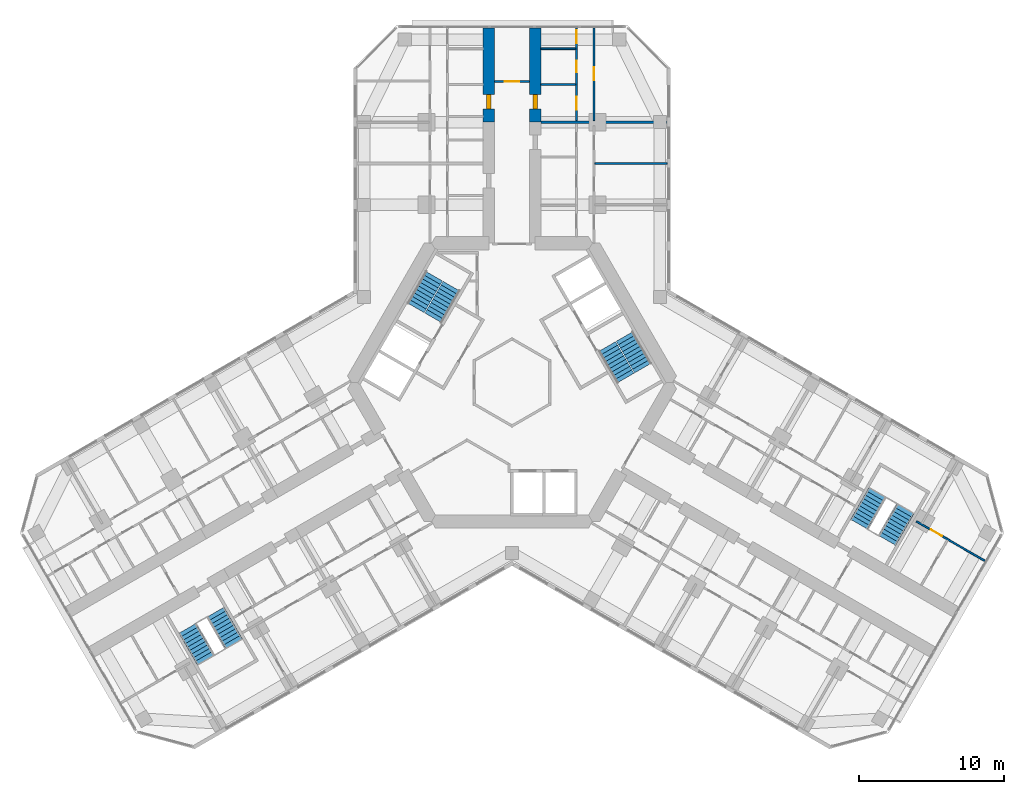
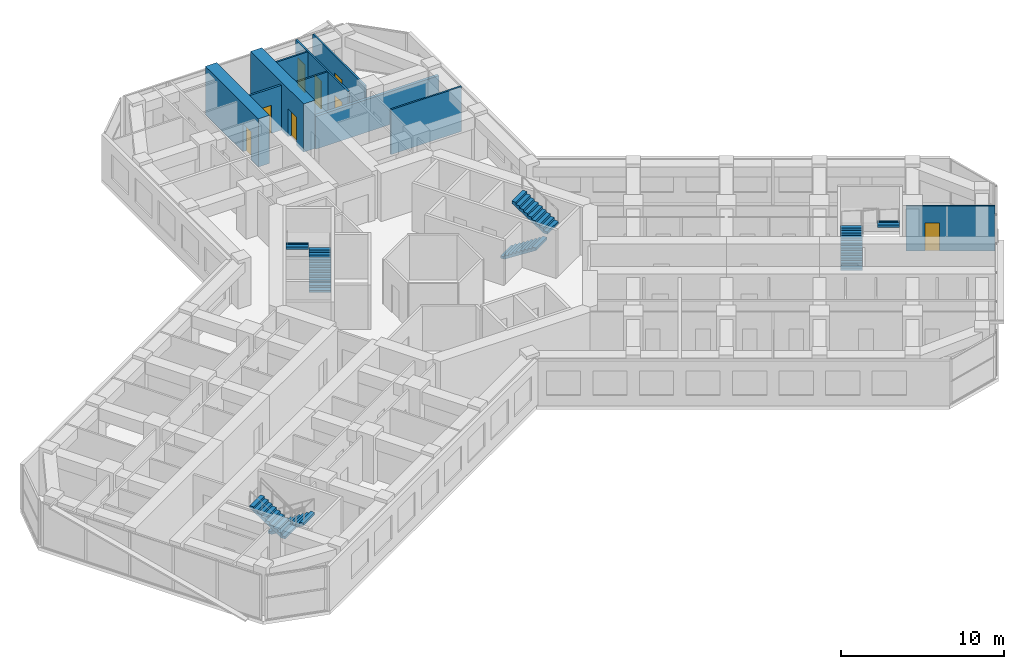
# One storey, part 18 of 19: 10 walls, 8 doors, 8 stair flights, 8 openings, 4 elements without a shape of their own.
"""IFC4 building model written with IfcOpenShell, lengths in metres."""

import ifcopenshell
import ifcopenshell.guid

model = None  # the IFC model being written
_history = None  # IfcOwnerHistory: only IFC2X3 demands one
_inside = {}  # id of a spatial element -> (the spatial element, [elements in it])
_under = {}  # id of a project, library or spatial element -> (it, [spatial elements below it])
_declared = {}  # id of a project -> (the project, [libraries it declares])
_typed = {}  # id of a type object -> (the type object, [elements of that type])
_made_of = {}  # id of a material, layer set ... -> (it, [elements and type objects made of it])


def new_model(schema):
    """Start an empty IFC model of exactly this schema.

    Asked for "IFC4X3", IfcOpenShell would pick the latest addendum, in which some entities
    have other attributes; the version numbers below select the first issue.
    IFC2X3 requires an IfcOwnerHistory on every rooted entity: one is made here for all.
    """
    global model, _history
    if schema == "IFC4X3":
        model = ifcopenshell.file(schema_version=(4, 3, 0, 0))
    else:
        model = ifcopenshell.file(schema=schema)
    _inside.clear()
    _under.clear()
    _declared.clear()
    _typed.clear()
    _made_of.clear()
    _history = None
    if model.schema == "IFC2X3":
        org = make("IfcOrganization", Name="unknown")
        user = make(
            "IfcPersonAndOrganization",
            ThePerson=make("IfcPerson", FamilyName="unknown"),
            TheOrganization=org,
        )
        app = make(
            "IfcApplication",
            ApplicationDeveloper=org,
            Version="unknown",
            ApplicationFullName="unknown",
            ApplicationIdentifier="unknown",
        )
        _history = make(
            "IfcOwnerHistory",
            OwningUser=user,
            OwningApplication=app,
            ChangeAction="ADDED",
            CreationDate=0,
        )
    return model


def make(cls, **values):
    """One entity of the class cls with the attributes given. An attribute that is None is left unset."""
    return model.create_entity(
        cls, **{name: value for name, value in values.items() if value is not None}
    )


def rooted(cls, **values):
    """An entity with a GlobalId (a new one), such as an element, a storey or a relation."""
    return make(cls, GlobalId=ifcopenshell.guid.new(), OwnerHistory=_history, **values)


def si_unit(unit_type, name, prefix=None):
    """IfcSIUnit, for example si_unit("LENGTHUNIT", "METRE", prefix="MILLI")."""
    return make("IfcSIUnit", UnitType=unit_type, Prefix=prefix, Name=name)


def assignment(units):
    """IfcUnitAssignment: the units of a project."""
    return None if units is None else make("IfcUnitAssignment", Units=units)


def point(xyz):
    """IfcCartesianPoint."""
    return None if xyz is None else make("IfcCartesianPoint", Coordinates=xyz)


def direction(xyz):
    """IfcDirection."""
    return None if xyz is None else make("IfcDirection", DirectionRatios=xyz)


def frame(location, z_axis=None, x_axis=None):
    """IfcAxis2Placement3D, a coordinate frame: its origin and axes. An axis left out is left unset."""
    return make(
        "IfcAxis2Placement3D",
        Location=point(location),
        Axis=direction(z_axis),
        RefDirection=direction(x_axis),
    )


def frame_2d(location, x_axis=None):
    """IfcAxis2Placement2D, a coordinate frame in the plane: its origin and x axis."""
    return make(
        "IfcAxis2Placement2D", Location=point(location), RefDirection=direction(x_axis)
    )


def origin():
    """The frame at (0, 0, 0) with its axes left unset."""
    return frame((0.0, 0.0, 0.0))


def place(relative_to, where):
    """IfcLocalPlacement: puts the frame where relative to a parent placement (None: the world)."""
    return make(
        "IfcLocalPlacement", PlacementRelTo=relative_to, RelativePlacement=where
    )


def context(
    kind, dimensions, precision=None, world=None, true_north=None, identifier=None
):
    """IfcGeometricRepresentationContext, for example the 3D "Model" context."""
    return make(
        "IfcGeometricRepresentationContext",
        ContextIdentifier=identifier,
        ContextType=kind,
        CoordinateSpaceDimension=dimensions,
        Precision=precision,
        WorldCoordinateSystem=world,
        TrueNorth=true_north,
    )


def subcontext(parent, identifier, kind, view, scale=None):
    """IfcGeometricRepresentationSubContext, for example "Body" below "Model"."""
    return make(
        "IfcGeometricRepresentationSubContext",
        ContextIdentifier=identifier,
        ContextType=kind,
        ParentContext=parent,
        TargetScale=scale,
        TargetView=view,
    )


def project(units=None, contexts=None):
    """IfcProject with its units and contexts."""
    return rooted(
        "IfcProject",
        Name="project",
        RepresentationContexts=contexts,
        UnitsInContext=assignment(units),
    )


def spatial(cls, under=None, at=None, **own):
    """A site, building, storey or space (cls), placed at a placement, below another one or the project."""
    s = rooted(cls, ObjectPlacement=at, **own)
    if under is not None:
        _under.setdefault(under.id(), (under, []))[1].append(s)
    return s


def polyline(points):
    """IfcPolyline through the points."""
    return make("IfcPolyline", Points=[point(p) for p in points])


def profile(cls, at=None, kind="AREA", **sizes):
    """A parametric profile (cls). Its sizes go by their IFC names, for example OverallWidth=200.0."""
    return make(cls, ProfileType=kind, Position=at, **sizes)


def rectangle(**sizes):
    """IfcRectangleProfileDef."""
    return profile("IfcRectangleProfileDef", **sizes)


def outline(outer, holes=None, kind="AREA"):
    """IfcArbitraryClosedProfileDef: a profile drawn as a closed curve; with holes, ...WithVoids."""
    if holes is None:
        return make("IfcArbitraryClosedProfileDef", ProfileType=kind, OuterCurve=outer)
    return make(
        "IfcArbitraryProfileDefWithVoids",
        ProfileType=kind,
        OuterCurve=outer,
        InnerCurves=holes,
    )


def extrude(swept, where, along, depth):
    """IfcExtrudedAreaSolid: the profile swept, set in the frame where, extruded along a direction by depth."""
    return make(
        "IfcExtrudedAreaSolid",
        SweptArea=swept,
        Position=where,
        ExtrudedDirection=direction(along),
        Depth=depth,
    )


def shape(context_of_items, identifier, shape_type, items):
    """IfcShapeRepresentation: the items that make up one representation, for example the "Body"."""
    return make(
        "IfcShapeRepresentation",
        ContextOfItems=context_of_items,
        RepresentationIdentifier=identifier,
        RepresentationType=shape_type,
        Items=items,
    )


def material(Name=None, Category=None):
    """IfcMaterial."""
    return make("IfcMaterial", Name=Name, Category=Category)


def layer(
    of_material, thickness, ventilated=None, Name=None, Category=None, Priority=None
):
    """IfcMaterialLayer: one layer of a wall or slab, of a material (None: an air gap)."""
    return make(
        "IfcMaterialLayer",
        Material=of_material,
        LayerThickness=thickness,
        IsVentilated=ventilated,
        Name=Name,
        Category=Category,
        Priority=Priority,
    )


def layer_set(layers, Name=None):
    """IfcMaterialLayerSet."""
    return make("IfcMaterialLayerSet", MaterialLayers=layers, LayerSetName=Name)


def made_of(thing, what):
    """Note that an element or type object is made of a material, layer set ...; save() writes the relation."""
    if what is not None:
        _made_of.setdefault(what.id(), (what, []))[1].append(thing)
    return thing


def type_object(cls, material=None, **own):
    """A type object (cls), such as IfcWallType, which elements share."""
    return made_of(rooted(cls, **own), material)


def element(
    cls,
    number,
    at=None,
    inside=None,
    cuts=None,
    type_object=None,
    material=None,
    context=None,
    identifier="Body",
    shape_type=None,
    held_by="IfcProductDefinitionShape",
    body=None,
    shapes=None,
    **own,
):
    """One element of the class cls, such as IfcWall. Its Tag is "e" and its number.

    at: its placement. inside: the storey or other place that contains it. cuts: it is an
    opening in that element (IfcRelVoidsElement). A single representation is given by context,
    identifier, shape_type and body (its items); several are given by shapes. held_by: the class
    of the entity that holds the representations. save() writes the other relations.
    """
    e = rooted(cls, Tag="e%d" % number, ObjectPlacement=at, **own)
    if body is not None:
        shapes = [shape(context, identifier, shape_type, body)]
    if shapes is not None:
        e.Representation = make(held_by, Representations=shapes)
    if inside is not None:
        _inside.setdefault(inside.id(), (inside, []))[1].append(e)
    if cuts is not None:
        rooted(
            "IfcRelVoidsElement", RelatingBuildingElement=cuts, RelatedOpeningElement=e
        )
    if type_object is not None:
        _typed.setdefault(type_object.id(), (type_object, []))[1].append(e)
    return made_of(e, material)


def fill(opening, filler):
    """IfcRelFillsElement: the door or window that sits in an opening."""
    return rooted(
        "IfcRelFillsElement",
        RelatingOpeningElement=opening,
        RelatedBuildingElement=filler,
    )


def aggregate(whole, parts):
    """IfcRelAggregates: a whole, such as a stair, and the parts it consists of."""
    return rooted("IfcRelAggregates", RelatingObject=whole, RelatedObjects=parts)


def save(model, path):
    """Write the relations noted so far, then the file.

    IfcRelAggregates (storeys below a building ...), IfcRelContainedInSpatialStructure (elements
    in a storey), IfcRelDefinesByType, IfcRelAssociatesMaterial and IfcRelDeclares: one each for
    every whole, place, type object, material and project.
    """
    for whole, parts in _under.values():
        aggregate(whole, parts)
    for where, things in _inside.values():
        rooted(
            "IfcRelContainedInSpatialStructure",
            RelatedElements=things,
            RelatingStructure=where,
        )
    for kind, things in _typed.values():
        rooted("IfcRelDefinesByType", RelatedObjects=things, RelatingType=kind)
    for what, things in _made_of.values():
        rooted("IfcRelAssociatesMaterial", RelatedObjects=things, RelatingMaterial=what)
    for by, libraries in _declared.values():
        rooted("IfcRelDeclares", RelatingContext=by, RelatedDefinitions=libraries)
    model.write(path)


model = new_model("IFC4")

# Units and contexts
model_context = context("Model", 3, precision=1e-05, world=origin(), true_north=direction((0.0, 1.0)))
body_context = subcontext(model_context, "Body", "Model", "MODEL_VIEW")
ifc_project = project(units=[si_unit("LENGTHUNIT", "METRE"), si_unit("AREAUNIT", "SQUARE_METRE"), si_unit("VOLUMEUNIT", "CUBIC_METRE"), si_unit("PLANEANGLEUNIT", "RADIAN"), si_unit("MASSUNIT", "GRAM", prefix="KILO")], contexts=[model_context])

# Site, building, storey
site_placement = place(None, origin())
site = spatial("IfcSite", under=ifc_project, at=site_placement, CompositionType="ELEMENT")
building_placement = place(site_placement, origin())
building = spatial("IfcBuilding", under=site, at=building_placement, Name="Kosmar Iwan School Tower", CompositionType="ELEMENT")
storey_placement = place(building_placement, frame((0.0, 0.0, 165.199951171875)))
storey = spatial("IfcBuildingStorey", under=building, at=storey_placement, Name="L41", CompositionType="ELEMENT", Elevation=165.199951171875)

# Wall, opening, door
ifc_material_1 = material(Name="Concrete C50/60", Category="concrete")
ifc_layer_1 = layer(ifc_material_1, 0.800048828125)
ifc_layer_set_1 = layer_set([ifc_layer_1], Name="Corridor buttress wall 800")
wall_type_1 = type_object("IfcWallType", Name="Corridor buttress wall 800", PredefinedType="SHEAR", material=ifc_layer_set_1)
wall_1_placement = place(storey_placement, frame((-1.60009765625, 17.949951171875, 0.0), z_axis=(0.0, 0.0, 1.0), x_axis=(0.0, 1.0, 0.0)))
wall_1 = element("IfcWall", 1, at=wall_1_placement, inside=storey, type_object=wall_type_1, Name="Corridor wall AL bay 2", PredefinedType="SHEAR", context=body_context, shape_type="SweptSolid", body=[
    extrude(rectangle(XDim=6.4951171875, YDim=0.800048828125, at=frame_2d((3.24755859375, 0.0))), origin(), (0.0, 0.0, 1.0), 3.60009765625),
])
opening_1_placement = place(wall_1_placement, frame((0.89990234375, 0.0, 0.0)))
opening_1 = element("IfcOpeningElement", 2, at=opening_1_placement, cuts=wall_1, Name="Opening D1", PredefinedType="OPENING", context=body_context, shape_type="SweptSolid", body=[
    extrude(rectangle(XDim=1.0, YDim=2.10009765625, at=frame_2d((0.5, 1.050048828125))), frame((0.0, 0.412109375, 0.0), z_axis=(0.0, -1.0, 0.0), x_axis=(1.0, 0.0, 0.0)), (0.0, 0.0, 1.0), 0.823974609375),
])
ifc_material_2 = material(Name="Timber fire door in steel frame", Category="steel")
door_type_1 = type_object("IfcDoorType", Name="Flat entrance door 1000x2100", OperationType="SINGLE_SWING_LEFT", PredefinedType="DOOR", material=ifc_material_2)
door_1_placement = place(opening_1_placement, origin())
door_1 = element("IfcDoor", 3, at=door_1_placement, inside=storey, type_object=door_type_1, Name="Flat L41-AL2 entrance door", OperationType="SINGLE_SWING_LEFT", OverallHeight=2.10009765625, OverallWidth=1.0, PredefinedType="DOOR", context=body_context, shape_type="SweptSolid", body=[
    extrude(rectangle(XDim=1.0, YDim=2.10009765625, at=frame_2d((0.5, 1.050048828125))), frame((0.0, 0.14990234375, 0.0), z_axis=(0.0, -1.0, 0.0), x_axis=(1.0, 0.0, 0.0)), (0.0, 0.0, 1.0), 0.300048828125),
])
fill(opening_1, door_1)

wall_2_placement = place(storey_placement, frame((1.60009765625, 17.949951171875, 0.0), z_axis=(0.0, 0.0, 1.0), x_axis=(0.0, 1.0, 0.0)))
wall_2 = element("IfcWall", 4, at=wall_2_placement, inside=storey, type_object=wall_type_1, Name="Corridor wall AR bay 2", PredefinedType="SHEAR", context=body_context, shape_type="SweptSolid", body=[
    extrude(rectangle(XDim=6.4951171875, YDim=0.800048828125, at=frame_2d((3.24755859375, 0.0))), origin(), (0.0, 0.0, 1.0), 3.60009765625),
])
opening_2_placement = place(wall_2_placement, frame((0.89990234375, 0.0, 0.0)))
opening_2 = element("IfcOpeningElement", 5, at=opening_2_placement, cuts=wall_2, Name="Opening D1", PredefinedType="OPENING", context=body_context, shape_type="SweptSolid", body=[
    extrude(rectangle(XDim=1.0, YDim=2.10009765625, at=frame_2d((0.5, 1.050048828125))), frame((0.0, 0.412109375, 0.0), z_axis=(0.0, -1.0, 0.0), x_axis=(1.0, 0.0, 0.0)), (0.0, 0.0, 1.0), 0.823974609375),
])
door_2_placement = place(opening_2_placement, origin())
door_2 = element("IfcDoor", 6, at=door_2_placement, inside=storey, type_object=door_type_1, Name="Flat L41-AR2 entrance door", OperationType="SINGLE_SWING_RIGHT", OverallHeight=2.10009765625, OverallWidth=1.0, PredefinedType="DOOR", context=body_context, shape_type="SweptSolid", body=[
    extrude(rectangle(XDim=1.0, YDim=2.10009765625, at=frame_2d((0.5, 1.050048828125))), frame((0.0, 0.14990234375, 0.0), z_axis=(0.0, -1.0, 0.0), x_axis=(1.0, 0.0, 0.0)), (0.0, 0.0, 1.0), 0.300048828125),
])
fill(opening_2, door_2)

ifc_material_3 = material(Name="Gypsum board on steel studs, fire-rated", Category="steel")
ifc_layer_2 = layer(ifc_material_3, 0.14990234375)
ifc_layer_set_2 = layer_set([ifc_layer_2], Name="Corridor end wall 150")
wall_type_2 = type_object("IfcWallType", Name="Corridor end wall 150", PredefinedType="PARTITIONING", material=ifc_layer_set_2)
wall_3_placement = place(storey_placement, frame((1.199951171875, 20.75, 0.0), z_axis=(0.0, 0.0, 1.0), x_axis=(-1.0, 0.0, 0.0)))
wall_3 = element("IfcWall", 7, at=wall_3_placement, inside=storey, type_object=wall_type_2, Name="Partition L41-A-CE", PredefinedType="PARTITIONING", context=body_context, shape_type="SweptSolid", body=[
    extrude(rectangle(XDim=2.39990234375, YDim=0.14990234375, at=frame_2d((1.199951171875, 0.0))), origin(), (0.0, 0.0, 1.0), 3.35009765625),
])
opening_3_placement = place(wall_3_placement, frame((0.699951171875, 0.0, 0.0)))
opening_3 = element("IfcOpeningElement", 8, at=opening_3_placement, cuts=wall_3, Name="Opening D13", PredefinedType="OPENING", context=body_context, shape_type="SweptSolid", body=[
    extrude(rectangle(XDim=1.0, YDim=2.10009765625, at=frame_2d((0.5, 1.050048828125))), frame((0.0, 0.0869140625, 0.0), z_axis=(0.0, -1.0, 0.0), x_axis=(1.0, 0.0, 0.0)), (0.0, 0.0, 1.0), 0.173828125),
])
ifc_material_4 = material(Name="Timber fire door with vision panel", Category="wood")
door_type_2 = type_object("IfcDoorType", Name="Corridor end door 1000x2100", OperationType="SINGLE_SWING_LEFT", PredefinedType="DOOR", material=ifc_material_4)
door_3_placement = place(opening_3_placement, origin())
door_3 = element("IfcDoor", 9, at=door_3_placement, inside=storey, type_object=door_type_2, Name="Prayer room door L41-A", OperationType="SINGLE_SWING_RIGHT", OverallHeight=2.10009765625, OverallWidth=1.0, PredefinedType="DOOR", context=body_context, shape_type="SweptSolid", body=[
    extrude(rectangle(XDim=1.0, YDim=2.10009765625, at=frame_2d((0.5, 1.050048828125))), frame((0.0, 0.02490234375, 0.0), z_axis=(0.0, -1.0, 0.0), x_axis=(1.0, 0.0, 0.0)), (0.0, 0.0, 1.0), 0.050048828125),
])
fill(opening_3, door_3)

# Wall
ifc_material_5 = material(Name="Gypsum board on steel studs", Category="steel")
ifc_layer_3 = layer(ifc_material_5, 0.1201171875)
ifc_layer_set_3 = layer_set([ifc_layer_3], Name="Dwelling partition 120")
wall_type_3 = type_object("IfcWallType", Name="Dwelling partition 120", PredefinedType="PARTITIONING", material=ifc_layer_set_3)
wall_4_placement = place(storey_placement, frame((5.7099609375, 15.10009765625, 0.0), z_axis=(0.0, 0.0, 1.0), x_axis=(1.0, 0.0, 0.0)))
element("IfcWall", 10, at=wall_4_placement, inside=storey, type_object=wall_type_3, Name="Partition L41-AR1-X2", PredefinedType="PARTITIONING", context=body_context, shape_type="SweptSolid", body=[
    extrude(rectangle(XDim=4.989990234375, YDim=0.1201171875, at=frame_2d((2.4951171875, 0.0))), origin(), (0.0, 0.0, 1.0), 3.35009765625),
])

# Wall, openings, doors
wall_5_placement = place(storey_placement, frame((4.449951171875, 18.050048828125, 0.0), z_axis=(0.0, 0.0, 1.0), x_axis=(0.0, 1.0, 0.0)))
wall_5 = element("IfcWall", 11, at=wall_5_placement, inside=storey, type_object=wall_type_3, Name="Partition L41-AR2-W1", PredefinedType="PARTITIONING", context=body_context, shape_type="SweptSolid", body=[
    extrude(rectangle(XDim=6.39501953125, YDim=0.1201171875, at=frame_2d((3.197509765625, 0.0))), origin(), (0.0, 0.0, 1.0), 3.35009765625),
])
opening_4_placement = place(wall_5_placement, frame((0.75, 0.0, 0.0)))
opening_4 = element("IfcOpeningElement", 12, at=opening_4_placement, cuts=wall_5, Name="Opening D2", PredefinedType="OPENING", context=body_context, shape_type="SweptSolid", body=[
    extrude(rectangle(XDim=0.89990234375, YDim=2.10009765625, at=frame_2d((0.449951171875, 1.050048828125))), frame((0.0, 0.072021484375, 0.0), z_axis=(0.0, -1.0, 0.0), x_axis=(1.0, 0.0, 0.0)), (0.0, 0.0, 1.0), 0.14404296875),
])
opening_5_placement = place(wall_5_placement, frame((3.330078125, 0.0, 0.0)))
opening_5 = element("IfcOpeningElement", 13, at=opening_5_placement, cuts=wall_5, Name="Opening D3", PredefinedType="OPENING", context=body_context, shape_type="SweptSolid", body=[
    extrude(rectangle(XDim=0.800048828125, YDim=2.10009765625, at=frame_2d((0.39990234375, 1.050048828125))), frame((0.0, 0.072021484375, 0.0), z_axis=(0.0, -1.0, 0.0), x_axis=(1.0, 0.0, 0.0)), (0.0, 0.0, 1.0), 0.14404296875),
])
opening_6_placement = place(wall_5_placement, frame((5.330078125, 0.0, 0.0)))
opening_6 = element("IfcOpeningElement", 14, at=opening_6_placement, cuts=wall_5, Name="Opening D2", PredefinedType="OPENING", context=body_context, shape_type="SweptSolid", body=[
    extrude(rectangle(XDim=0.89990234375, YDim=2.10009765625, at=frame_2d((0.449951171875, 1.050048828125))), frame((0.0, 0.072021484375, 0.0), z_axis=(0.0, -1.0, 0.0), x_axis=(1.0, 0.0, 0.0)), (0.0, 0.0, 1.0), 0.14404296875),
])
ifc_material_6 = material(Name="Timber door in timber frame", Category="wood")
door_type_3 = type_object("IfcDoorType", Name="Internal door 900x2100", OperationType="SINGLE_SWING_LEFT", PredefinedType="DOOR", material=ifc_material_6)
door_4_placement = place(opening_4_placement, origin())
door_4 = element("IfcDoor", 15, at=door_4_placement, inside=storey, type_object=door_type_3, Name="Entrance hall door L41-AR2-S1", OperationType="SINGLE_SWING_LEFT", OverallHeight=2.10009765625, OverallWidth=0.89990234375, PredefinedType="DOOR", context=body_context, shape_type="SweptSolid", body=[
    extrude(rectangle(XDim=0.89990234375, YDim=2.10009765625, at=frame_2d((0.449951171875, 1.050048828125))), frame((0.0, 0.02490234375, 0.0), z_axis=(0.0, -1.0, 0.0), x_axis=(1.0, 0.0, 0.0)), (0.0, 0.0, 1.0), 0.050048828125),
])
fill(opening_4, door_4)
door_5_placement = place(opening_6_placement, origin())
door_5 = element("IfcDoor", 16, at=door_5_placement, inside=storey, type_object=door_type_3, Name="Pantry door L41-AR2-S3", OperationType="SINGLE_SWING_RIGHT", OverallHeight=2.10009765625, OverallWidth=0.89990234375, PredefinedType="DOOR", context=body_context, shape_type="SweptSolid", body=[
    extrude(rectangle(XDim=0.89990234375, YDim=2.10009765625, at=frame_2d((0.449951171875, 1.050048828125))), frame((0.0, 0.02490234375, 0.0), z_axis=(0.0, -1.0, 0.0), x_axis=(1.0, 0.0, 0.0)), (0.0, 0.0, 1.0), 0.050048828125),
])
fill(opening_6, door_5)
ifc_material_7 = material(Name="Timber door in timber frame", Category="wood")
door_type_4 = type_object("IfcDoorType", Name="Sanitary room door 800x2100", OperationType="SINGLE_SWING_LEFT", PredefinedType="DOOR", material=ifc_material_7)
door_6_placement = place(opening_5_placement, origin())
door_6 = element("IfcDoor", 17, at=door_6_placement, inside=storey, type_object=door_type_4, Name="Bathroom door L41-AR2-S2", OperationType="SINGLE_SWING_RIGHT", OverallHeight=2.10009765625, OverallWidth=0.800048828125, PredefinedType="DOOR", context=body_context, shape_type="SweptSolid", body=[
    extrude(rectangle(XDim=0.800048828125, YDim=2.10009765625, at=frame_2d((0.39990234375, 1.050048828125))), frame((0.0, 0.02490234375, 0.0), z_axis=(0.0, -1.0, 0.0), x_axis=(1.0, 0.0, 0.0)), (0.0, 0.0, 1.0), 0.050048828125),
])
fill(opening_5, door_6)

# Wall, opening, door
wall_6_placement = place(storey_placement, frame((5.64990234375, 18.050048828125, 0.0), z_axis=(0.0, 0.0, 1.0), x_axis=(0.0, 1.0, 0.0)))
wall_6 = element("IfcWall", 18, at=wall_6_placement, inside=storey, type_object=wall_type_3, Name="Partition L41-AR2-W2", PredefinedType="PARTITIONING", context=body_context, shape_type="SweptSolid", body=[
    extrude(rectangle(XDim=6.39501953125, YDim=0.1201171875, at=frame_2d((3.197509765625, 0.0))), origin(), (0.0, 0.0, 1.0), 3.35009765625),
])
opening_7_placement = place(wall_6_placement, frame((2.800048828125, 0.0, 0.0)))
opening_7 = element("IfcOpeningElement", 19, at=opening_7_placement, cuts=wall_6, Name="Opening D2", PredefinedType="OPENING", context=body_context, shape_type="SweptSolid", body=[
    extrude(rectangle(XDim=0.89990234375, YDim=2.10009765625, at=frame_2d((0.449951171875, 1.050048828125))), frame((0.0, 0.072021484375, 0.0), z_axis=(0.0, -1.0, 0.0), x_axis=(1.0, 0.0, 0.0)), (0.0, 0.0, 1.0), 0.14404296875),
])
door_7_placement = place(opening_7_placement, origin())
door_7 = element("IfcDoor", 20, at=door_7_placement, inside=storey, type_object=door_type_3, Name="Studio living room and kitchen door L41-AR2-F1", OperationType="SINGLE_SWING_RIGHT", OverallHeight=2.10009765625, OverallWidth=0.89990234375, PredefinedType="DOOR", context=body_context, shape_type="SweptSolid", body=[
    extrude(rectangle(XDim=0.89990234375, YDim=2.10009765625, at=frame_2d((0.449951171875, 1.050048828125))), frame((0.0, 0.02490234375, 0.0), z_axis=(0.0, -1.0, 0.0), x_axis=(1.0, 0.0, 0.0)), (0.0, 0.0, 1.0), 0.050048828125),
])
fill(opening_7, door_7)

# Walls
for number, where, z_axis, x_axis, name in (
    (21, (2.0, 20.550048828125, 0.0), (0.0, 0.0, 1.0), (1.0, 0.0, 0.0), "Partition L41-AR2-Y1"),
    (22, (2.0, 23.010009765625, 0.0), (0.0, 0.0, 1.0), (1.0, 0.0, 0.0), "Partition L41-AR2-Y2"),
):
    element("IfcWall", number, at=place(storey_placement, frame(where, z_axis=z_axis, x_axis=x_axis)), inside=storey, type_object=wall_type_3, Name=name, PredefinedType="PARTITIONING", context=body_context, shape_type="SweptSolid", body=[
        extrude(rectangle(XDim=2.389892578125, YDim=0.1201171875, at=frame_2d((1.19482421875, 0.0))), origin(), (0.0, 0.0, 1.0), 3.35009765625),
    ])

# Wall, opening, door
wall_7_placement = place(storey_placement, frame((27.896484375, -9.58203125, 0.0), z_axis=(0.0, 0.0, 1.0), x_axis=(0.866035508231, -0.499982498177, 0.0)))
wall_7 = element("IfcWall", 23, at=wall_7_placement, inside=storey, type_object=wall_type_3, Name="Partition L41-CL2-TW", PredefinedType="PARTITIONING", context=body_context, shape_type="SweptSolid", body=[
    extrude(rectangle(XDim=5.445068359375, YDim=0.1201171875, at=frame_2d((2.72265625, 0.0))), origin(), (0.0, 0.0, 1.0), 3.35009765625),
])
opening_8_placement = place(wall_7_placement, frame((1.14990234375, 0.0, 0.0)))
opening_8 = element("IfcOpeningElement", 24, at=opening_8_placement, cuts=wall_7, Name="Opening D2", PredefinedType="OPENING", context=body_context, shape_type="SweptSolid", body=[
    extrude(rectangle(XDim=0.89990234375, YDim=2.10009765625, at=frame_2d((0.449951171875, 1.050048828125))), frame((0.0, 0.072021484375, 0.0), z_axis=(0.0, -1.0, 0.0), x_axis=(1.0, 0.0, 0.0)), (0.0, 0.0, 1.0), 0.14404296875),
])
door_8_placement = place(opening_8_placement, origin())
door_8 = element("IfcDoor", 25, at=door_8_placement, inside=storey, type_object=door_type_3, Name="Dressing room door L41-CL2-T3", OperationType="SINGLE_SWING_LEFT", OverallHeight=2.10009765625, OverallWidth=0.89990234375, PredefinedType="DOOR", context=body_context, shape_type="SweptSolid", body=[
    extrude(rectangle(XDim=0.89990234375, YDim=2.10009765625, at=frame_2d((0.449951171875, 1.050048828125))), frame((0.0, 0.02490234375, 0.0), z_axis=(0.0, -1.0, 0.0), x_axis=(1.0, 0.0, 0.0)), (0.0, 0.0, 1.0), 0.050048828125),
])
fill(opening_8, door_8)

# Wall
ifc_material_8 = material(Name="Concrete block masonry", Category="masonry")
ifc_layer_4 = layer(ifc_material_8, 0.199951171875)
ifc_layer_set_4 = layer_set([ifc_layer_4], Name="Party wall 200")
wall_type_4 = type_object("IfcWallType", Name="Party wall 200", PredefinedType="PARTITIONING", material=ifc_layer_set_4)
wall_8_placement = place(storey_placement, frame((2.0, 17.949951171875, 0.0), z_axis=(0.0, 0.0, 1.0), x_axis=(1.0, 0.0, 0.0)))
element("IfcWall", 26, at=wall_8_placement, inside=storey, type_object=wall_type_4, Name="Partition L41-AR2-PW", PredefinedType="PARTITIONING", context=body_context, shape_type="SweptSolid", body=[
    extrude(rectangle(XDim=8.699951171875, YDim=0.199951171875, at=frame_2d((4.35009765625, 0.0))), origin(), (0.0, 0.0, 1.0), 2.449951171875),
])

# Stair, stair flights
ifc_material_9 = material(Name="Concrete C35/45", Category="concrete")
stair_type_1 = type_object("IfcStairType", Name="Escape stair 3600", PredefinedType="HALF_TURN_STAIR", material=ifc_material_9)
stair_1_placement = place(storey_placement, origin())
stair_1 = element("IfcStair", 27, at=stair_1_placement, inside=storey, type_object=stair_type_1, Name="Stair WS2 L41", PredefinedType="HALF_TURN_STAIR")
ifc_material_10 = material(Name="Concrete C35/45", Category="concrete")
stair_flight_type_1 = type_object("IfcStairFlightType", Name="Escape stair flight 1350", PredefinedType="STRAIGHT", material=ifc_material_10)
stair_flight_1_placement = place(storey_placement, frame((-20.44189453125, -15.843505859375, 0.0), z_axis=(0.0, 0.0, 1.0), x_axis=(0.5, -0.866025403784, 0.0)))
stair_flight_1 = element("IfcStairFlight", 28, at=stair_flight_1_placement, type_object=stair_flight_type_1, Name="WS2 flight 1", NumberOfRisers=10, NumberOfTreads=9, PredefinedType="STRAIGHT", RiserHeight=0.18, TreadLength=0.28, context=body_context, shape_type="SweptSolid", body=[
    extrude(outline(polyline([(0.0, 0.0), (0.0, 0.179931640625), (0.280029296875, 0.179931640625), (0.280029296875, 0.360107421875), (0.56005859375, 0.360107421875), (0.56005859375, 0.5400390625), (0.840087890625, 0.5400390625), (0.840087890625, 0.719970703125), (1.1201171875, 0.719970703125), (1.1201171875, 0.89990234375), (1.39990234375, 0.89990234375), (1.39990234375, 1.080078125), (1.679931640625, 1.080078125), (1.679931640625, 1.260009765625), (1.9599609375, 1.260009765625), (1.9599609375, 1.43994140625), (2.239990234375, 1.43994140625), (2.239990234375, 1.6201171875), (2.52001953125, 1.6201171875), (2.52001953125, 1.800048828125), (2.52001953125, 1.44189453125), (0.277099609375, 0.0), (0.0, 0.0)])), frame((0.0, 0.675048828125, 0.0), z_axis=(0.0, -1.0, 0.0), x_axis=(1.0, 0.0, 0.0)), (0.0, 0.0, 1.0), 1.35009765625),
])
stair_flight_2_placement = place(storey_placement, frame((-21.13037109375, -19.15087890625, 1.800048828125), z_axis=(0.0, 0.0, 1.0), x_axis=(-0.5, 0.866025403784, 0.0)))
stair_flight_2 = element("IfcStairFlight", 29, at=stair_flight_2_placement, type_object=stair_flight_type_1, Name="WS2 flight 2", NumberOfRisers=10, NumberOfTreads=9, PredefinedType="STRAIGHT", RiserHeight=0.18, TreadLength=0.28, context=body_context, shape_type="SweptSolid", body=[
    extrude(outline(polyline([(0.0, 0.0), (0.0, 0.179931640625), (0.280029296875, 0.179931640625), (0.280029296875, 0.360107421875), (0.56005859375, 0.360107421875), (0.56005859375, 0.5400390625), (0.840087890625, 0.5400390625), (0.840087890625, 0.719970703125), (1.1201171875, 0.719970703125), (1.1201171875, 0.89990234375), (1.39990234375, 0.89990234375), (1.39990234375, 1.080078125), (1.679931640625, 1.080078125), (1.679931640625, 1.260009765625), (1.9599609375, 1.260009765625), (1.9599609375, 1.43994140625), (2.239990234375, 1.43994140625), (2.239990234375, 1.6201171875), (2.52001953125, 1.6201171875), (2.52001953125, 1.800048828125), (2.52001953125, 1.44189453125), (0.277099609375, 0.0), (0.0, 0.0)])), frame((0.0, 0.675048828125, 0.0), z_axis=(0.0, -1.0, 0.0), x_axis=(1.0, 0.0, 0.0)), (0.0, 0.0, 1.0), 1.35009765625),
])
aggregate(stair_1, [stair_flight_1, stair_flight_2])

stair_2_placement = place(storey_placement, origin())
stair_2 = element("IfcStair", 30, at=stair_2_placement, inside=storey, type_object=stair_type_1, Name="Stair WS3 L41", PredefinedType="HALF_TURN_STAIR")
stair_flight_3_placement = place(storey_placement, frame((23.94189453125, -9.781494140625, 0.0), z_axis=(0.0, 0.0, 1.0), x_axis=(0.5, 0.866025403784, 0.0)))
stair_flight_3 = element("IfcStairFlight", 31, at=stair_flight_3_placement, type_object=stair_flight_type_1, Name="WS3 flight 1", NumberOfRisers=10, NumberOfTreads=9, PredefinedType="STRAIGHT", RiserHeight=0.18, TreadLength=0.28, context=body_context, shape_type="SweptSolid", body=[
    extrude(outline(polyline([(0.0, 0.0), (0.0, 0.179931640625), (0.280029296875, 0.179931640625), (0.280029296875, 0.360107421875), (0.56005859375, 0.360107421875), (0.56005859375, 0.5400390625), (0.840087890625, 0.5400390625), (0.840087890625, 0.719970703125), (1.1201171875, 0.719970703125), (1.1201171875, 0.89990234375), (1.39990234375, 0.89990234375), (1.39990234375, 1.080078125), (1.679931640625, 1.080078125), (1.679931640625, 1.260009765625), (1.9599609375, 1.260009765625), (1.9599609375, 1.43994140625), (2.239990234375, 1.43994140625), (2.239990234375, 1.6201171875), (2.52001953125, 1.6201171875), (2.52001953125, 1.800048828125), (2.52001953125, 1.44189453125), (0.277099609375, 0.0), (0.0, 0.0)])), frame((0.0, 0.675048828125, 0.0), z_axis=(0.0, -1.0, 0.0), x_axis=(1.0, 0.0, 0.0)), (0.0, 0.0, 1.0), 1.35009765625),
])
stair_flight_4_placement = place(storey_placement, frame((27.150390625, -8.72412109375, 1.800048828125), z_axis=(0.0, 0.0, 1.0), x_axis=(-0.5, -0.866025403784, 0.0)))
stair_flight_4 = element("IfcStairFlight", 32, at=stair_flight_4_placement, type_object=stair_flight_type_1, Name="WS3 flight 2", NumberOfRisers=10, NumberOfTreads=9, PredefinedType="STRAIGHT", RiserHeight=0.18, TreadLength=0.28, context=body_context, shape_type="SweptSolid", body=[
    extrude(outline(polyline([(0.0, 0.0), (0.0, 0.179931640625), (0.280029296875, 0.179931640625), (0.280029296875, 0.360107421875), (0.56005859375, 0.360107421875), (0.56005859375, 0.5400390625), (0.840087890625, 0.5400390625), (0.840087890625, 0.719970703125), (1.1201171875, 0.719970703125), (1.1201171875, 0.89990234375), (1.39990234375, 0.89990234375), (1.39990234375, 1.080078125), (1.679931640625, 1.080078125), (1.679931640625, 1.260009765625), (1.9599609375, 1.260009765625), (1.9599609375, 1.43994140625), (2.239990234375, 1.43994140625), (2.239990234375, 1.6201171875), (2.52001953125, 1.6201171875), (2.52001953125, 1.800048828125), (2.52001953125, 1.44189453125), (0.277099609375, 0.0), (0.0, 0.0)])), frame((0.0, 0.675048828125, 0.0), z_axis=(0.0, -1.0, 0.0), x_axis=(1.0, 0.0, 0.0)), (0.0, 0.0, 1.0), 1.35009765625),
])
aggregate(stair_2, [stair_flight_3, stair_flight_4])

ifc_material_11 = material(Name="Concrete C35/45", Category="concrete")
stair_type_2 = type_object("IfcStairType", Name="Core stair 2750", PredefinedType="HALF_TURN_STAIR", material=ifc_material_11)
stair_3_placement = place(storey_placement, origin())
stair_3 = element("IfcStair", 33, at=stair_3_placement, inside=storey, type_object=stair_type_2, Name="Stair ST2 L41", PredefinedType="HALF_TURN_STAIR")
ifc_material_12 = material(Name="Concrete C35/45", Category="concrete")
stair_flight_type_2 = type_object("IfcStairFlightType", Name="Stair flight 1350", PredefinedType="STRAIGHT", material=ifc_material_12)
stair_flight_5_placement = place(storey_placement, frame((-5.42724609375, 4.44970703125, 0.0), z_axis=(0.0, 0.0, 1.0), x_axis=(0.5, 0.866025403784, 0.0)))
stair_flight_5 = element("IfcStairFlight", 34, at=stair_flight_5_placement, type_object=stair_flight_type_2, Name="ST2 flight 1", NumberOfRisers=10, NumberOfTreads=9, PredefinedType="STRAIGHT", RiserHeight=0.18, TreadLength=0.28, context=body_context, shape_type="SweptSolid", body=[
    extrude(outline(polyline([(0.0, 0.0), (0.0, 0.179931640625), (0.280029296875, 0.179931640625), (0.280029296875, 0.360107421875), (0.56005859375, 0.360107421875), (0.56005859375, 0.5400390625), (0.840087890625, 0.5400390625), (0.840087890625, 0.719970703125), (1.1201171875, 0.719970703125), (1.1201171875, 0.89990234375), (1.39990234375, 0.89990234375), (1.39990234375, 1.080078125), (1.679931640625, 1.080078125), (1.679931640625, 1.260009765625), (1.9599609375, 1.260009765625), (1.9599609375, 1.43994140625), (2.239990234375, 1.43994140625), (2.239990234375, 1.6201171875), (2.52001953125, 1.6201171875), (2.52001953125, 1.800048828125), (2.52001953125, 1.44189453125), (0.277099609375, 0.0), (0.0, 0.0)])), frame((0.0, 0.675048828125, 0.0), z_axis=(0.0, -1.0, 0.0), x_axis=(1.0, 0.0, 0.0)), (0.0, 0.0, 1.0), 1.35009765625),
])
stair_flight_6_placement = place(storey_placement, frame((-5.379638671875, 7.33203125, 1.800048828125), z_axis=(0.0, 0.0, 1.0), x_axis=(-0.5, -0.866025403784, 0.0)))
stair_flight_6 = element("IfcStairFlight", 35, at=stair_flight_6_placement, type_object=stair_flight_type_2, Name="ST2 flight 2", NumberOfRisers=10, NumberOfTreads=9, PredefinedType="STRAIGHT", RiserHeight=0.18, TreadLength=0.28, context=body_context, shape_type="SweptSolid", body=[
    extrude(outline(polyline([(0.0, 0.0), (0.0, 0.179931640625), (0.280029296875, 0.179931640625), (0.280029296875, 0.360107421875), (0.56005859375, 0.360107421875), (0.56005859375, 0.5400390625), (0.840087890625, 0.5400390625), (0.840087890625, 0.719970703125), (1.1201171875, 0.719970703125), (1.1201171875, 0.89990234375), (1.39990234375, 0.89990234375), (1.39990234375, 1.080078125), (1.679931640625, 1.080078125), (1.679931640625, 1.260009765625), (1.9599609375, 1.260009765625), (1.9599609375, 1.43994140625), (2.239990234375, 1.43994140625), (2.239990234375, 1.6201171875), (2.52001953125, 1.6201171875), (2.52001953125, 1.800048828125), (2.52001953125, 1.44189453125), (0.277099609375, 0.0), (0.0, 0.0)])), frame((0.0, 0.675048828125, 0.0), z_axis=(0.0, -1.0, 0.0), x_axis=(1.0, 0.0, 0.0)), (0.0, 0.0, 1.0), 1.35009765625),
])
aggregate(stair_3, [stair_flight_5, stair_flight_6])

stair_4_placement = place(storey_placement, origin())
stair_4 = element("IfcStair", 36, at=stair_4_placement, inside=storey, type_object=stair_type_2, Name="Stair ST1 L41", PredefinedType="HALF_TURN_STAIR")
stair_flight_7_placement = place(storey_placement, frame((6.567138671875, 2.475341796875, 0.0), z_axis=(0.0, 0.0, 1.0), x_axis=(0.5, -0.866025403784, 0.0)))
stair_flight_7 = element("IfcStairFlight", 37, at=stair_flight_7_placement, type_object=stair_flight_type_2, Name="ST1 flight 1", NumberOfRisers=10, NumberOfTreads=9, PredefinedType="STRAIGHT", RiserHeight=0.18, TreadLength=0.28, context=body_context, shape_type="SweptSolid", body=[
    extrude(outline(polyline([(0.0, 0.0), (0.0, 0.179931640625), (0.280029296875, 0.179931640625), (0.280029296875, 0.360107421875), (0.56005859375, 0.360107421875), (0.56005859375, 0.5400390625), (0.840087890625, 0.5400390625), (0.840087890625, 0.719970703125), (1.1201171875, 0.719970703125), (1.1201171875, 0.89990234375), (1.39990234375, 0.89990234375), (1.39990234375, 1.080078125), (1.679931640625, 1.080078125), (1.679931640625, 1.260009765625), (1.9599609375, 1.260009765625), (1.9599609375, 1.43994140625), (2.239990234375, 1.43994140625), (2.239990234375, 1.6201171875), (2.52001953125, 1.6201171875), (2.52001953125, 1.800048828125), (2.52001953125, 1.44189453125), (0.277099609375, 0.0), (0.0, 0.0)])), frame((0.0, 0.675048828125, 0.0), z_axis=(0.0, -1.0, 0.0), x_axis=(1.0, 0.0, 0.0)), (0.0, 0.0, 1.0), 1.35009765625),
])
stair_flight_8_placement = place(storey_placement, frame((9.03955078125, 0.992919921875, 1.800048828125), z_axis=(0.0, 0.0, 1.0), x_axis=(-0.5, 0.866025403784, 0.0)))
stair_flight_8 = element("IfcStairFlight", 38, at=stair_flight_8_placement, type_object=stair_flight_type_2, Name="ST1 flight 2", NumberOfRisers=10, NumberOfTreads=9, PredefinedType="STRAIGHT", RiserHeight=0.18, TreadLength=0.28, context=body_context, shape_type="SweptSolid", body=[
    extrude(outline(polyline([(0.0, 0.0), (0.0, 0.179931640625), (0.280029296875, 0.179931640625), (0.280029296875, 0.360107421875), (0.56005859375, 0.360107421875), (0.56005859375, 0.5400390625), (0.840087890625, 0.5400390625), (0.840087890625, 0.719970703125), (1.1201171875, 0.719970703125), (1.1201171875, 0.89990234375), (1.39990234375, 0.89990234375), (1.39990234375, 1.080078125), (1.679931640625, 1.080078125), (1.679931640625, 1.260009765625), (1.9599609375, 1.260009765625), (1.9599609375, 1.43994140625), (2.239990234375, 1.43994140625), (2.239990234375, 1.6201171875), (2.52001953125, 1.6201171875), (2.52001953125, 1.800048828125), (2.52001953125, 1.44189453125), (0.277099609375, 0.0), (0.0, 0.0)])), frame((0.0, 0.675048828125, 0.0), z_axis=(0.0, -1.0, 0.0), x_axis=(1.0, 0.0, 0.0)), (0.0, 0.0, 1.0), 1.35009765625),
])
aggregate(stair_4, [stair_flight_7, stair_flight_8])

save(model, "model.ifc")
